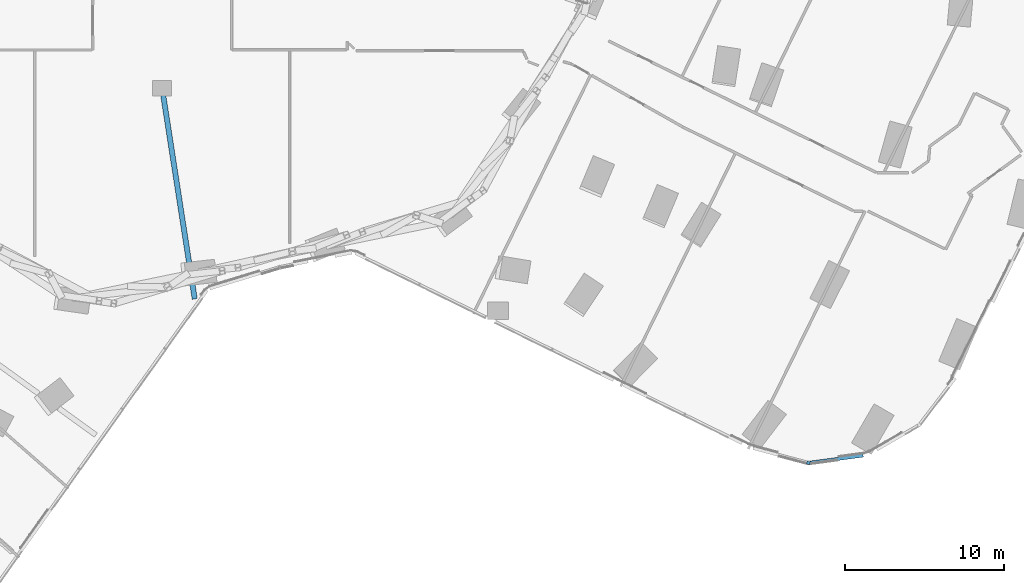
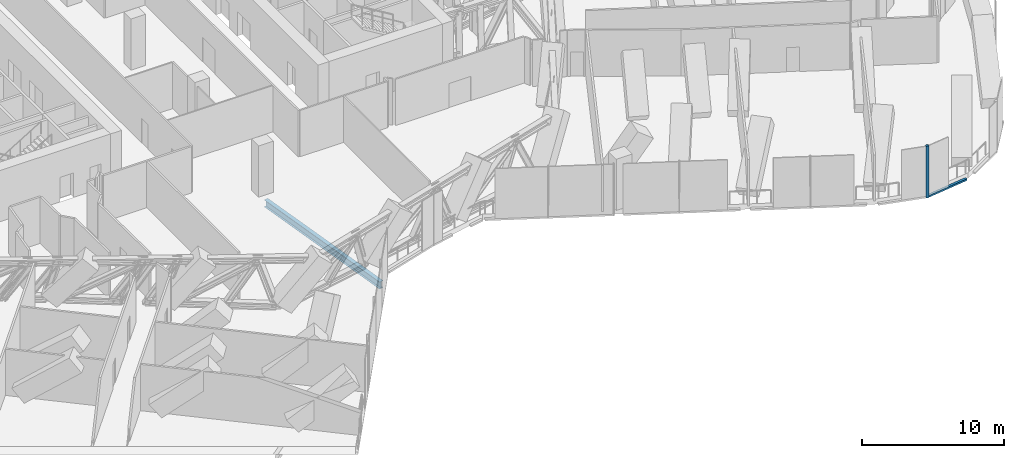
# One storey, part 8 of 34: 2 members, 1 beam, 2 elements without a shape of their own.
"""IFC4 building model written with IfcOpenShell, lengths in metres."""

import ifcopenshell
import ifcopenshell.guid

model = None  # the IFC model being written
_history = None  # IfcOwnerHistory: only IFC2X3 demands one
_inside = {}  # id of a spatial element -> (the spatial element, [elements in it])
_under = {}  # id of a project, library or spatial element -> (it, [spatial elements below it])
_declared = {}  # id of a project -> (the project, [libraries it declares])
_typed = {}  # id of a type object -> (the type object, [elements of that type])
_made_of = {}  # id of a material, layer set ... -> (it, [elements and type objects made of it])


def new_model(schema):
    """Start an empty IFC model of exactly this schema.

    Asked for "IFC4X3", IfcOpenShell would pick the latest addendum, in which some entities
    have other attributes; the version numbers below select the first issue.
    IFC2X3 requires an IfcOwnerHistory on every rooted entity: one is made here for all.
    """
    global model, _history
    if schema == "IFC4X3":
        model = ifcopenshell.file(schema_version=(4, 3, 0, 0))
    else:
        model = ifcopenshell.file(schema=schema)
    _inside.clear()
    _under.clear()
    _declared.clear()
    _typed.clear()
    _made_of.clear()
    _history = None
    if model.schema == "IFC2X3":
        org = make("IfcOrganization", Name="unknown")
        user = make(
            "IfcPersonAndOrganization",
            ThePerson=make("IfcPerson", FamilyName="unknown"),
            TheOrganization=org,
        )
        app = make(
            "IfcApplication",
            ApplicationDeveloper=org,
            Version="unknown",
            ApplicationFullName="unknown",
            ApplicationIdentifier="unknown",
        )
        _history = make(
            "IfcOwnerHistory",
            OwningUser=user,
            OwningApplication=app,
            ChangeAction="ADDED",
            CreationDate=0,
        )
    return model


def make(cls, **values):
    """One entity of the class cls with the attributes given. An attribute that is None is left unset."""
    return model.create_entity(
        cls, **{name: value for name, value in values.items() if value is not None}
    )


def rooted(cls, **values):
    """An entity with a GlobalId (a new one), such as an element, a storey or a relation."""
    return make(cls, GlobalId=ifcopenshell.guid.new(), OwnerHistory=_history, **values)


def si_unit(unit_type, name, prefix=None):
    """IfcSIUnit, for example si_unit("LENGTHUNIT", "METRE", prefix="MILLI")."""
    return make("IfcSIUnit", UnitType=unit_type, Prefix=prefix, Name=name)


def assignment(units):
    """IfcUnitAssignment: the units of a project."""
    return None if units is None else make("IfcUnitAssignment", Units=units)


def point(xyz):
    """IfcCartesianPoint."""
    return None if xyz is None else make("IfcCartesianPoint", Coordinates=xyz)


def direction(xyz):
    """IfcDirection."""
    return None if xyz is None else make("IfcDirection", DirectionRatios=xyz)


def frame(location, z_axis=None, x_axis=None):
    """IfcAxis2Placement3D, a coordinate frame: its origin and axes. An axis left out is left unset."""
    return make(
        "IfcAxis2Placement3D",
        Location=point(location),
        Axis=direction(z_axis),
        RefDirection=direction(x_axis),
    )


def frame_2d(location, x_axis=None):
    """IfcAxis2Placement2D, a coordinate frame in the plane: its origin and x axis."""
    return make(
        "IfcAxis2Placement2D", Location=point(location), RefDirection=direction(x_axis)
    )


def origin():
    """The frame at (0, 0, 0) with its axes left unset."""
    return frame((0.0, 0.0, 0.0))


def origin_2d():
    """The frame at (0, 0) in the plane with its x axis left unset."""
    return frame_2d((0.0, 0.0))


def place(relative_to, where):
    """IfcLocalPlacement: puts the frame where relative to a parent placement (None: the world)."""
    return make(
        "IfcLocalPlacement", PlacementRelTo=relative_to, RelativePlacement=where
    )


def context(
    kind, dimensions, precision=None, world=None, true_north=None, identifier=None
):
    """IfcGeometricRepresentationContext, for example the 3D "Model" context."""
    return make(
        "IfcGeometricRepresentationContext",
        ContextIdentifier=identifier,
        ContextType=kind,
        CoordinateSpaceDimension=dimensions,
        Precision=precision,
        WorldCoordinateSystem=world,
        TrueNorth=true_north,
    )


def subcontext(parent, identifier, kind, view, scale=None):
    """IfcGeometricRepresentationSubContext, for example "Body" below "Model"."""
    return make(
        "IfcGeometricRepresentationSubContext",
        ContextIdentifier=identifier,
        ContextType=kind,
        ParentContext=parent,
        TargetScale=scale,
        TargetView=view,
    )


def project(units=None, contexts=None):
    """IfcProject with its units and contexts."""
    return rooted(
        "IfcProject",
        Name="project",
        RepresentationContexts=contexts,
        UnitsInContext=assignment(units),
    )


def spatial(cls, under=None, at=None, **own):
    """A site, building, storey or space (cls), placed at a placement, below another one or the project."""
    s = rooted(cls, ObjectPlacement=at, **own)
    if under is not None:
        _under.setdefault(under.id(), (under, []))[1].append(s)
    return s


def profile(cls, at=None, kind="AREA", **sizes):
    """A parametric profile (cls). Its sizes go by their IFC names, for example OverallWidth=200.0."""
    return make(cls, ProfileType=kind, Position=at, **sizes)


def rectangle(**sizes):
    """IfcRectangleProfileDef."""
    return profile("IfcRectangleProfileDef", **sizes)


def i_section(**sizes):
    """IfcIShapeProfileDef."""
    return profile("IfcIShapeProfileDef", **sizes)


def extrude(swept, where, along, depth):
    """IfcExtrudedAreaSolid: the profile swept, set in the frame where, extruded along a direction by depth."""
    return make(
        "IfcExtrudedAreaSolid",
        SweptArea=swept,
        Position=where,
        ExtrudedDirection=direction(along),
        Depth=depth,
    )


def shape(context_of_items, identifier, shape_type, items):
    """IfcShapeRepresentation: the items that make up one representation, for example the "Body"."""
    return make(
        "IfcShapeRepresentation",
        ContextOfItems=context_of_items,
        RepresentationIdentifier=identifier,
        RepresentationType=shape_type,
        Items=items,
    )


def material(Name=None, Category=None):
    """IfcMaterial."""
    return make("IfcMaterial", Name=Name, Category=Category)


def material_profile(
    of_material, cross_section, Name=None, Category=None, Priority=None
):
    """IfcMaterialProfile: a cross section and its material."""
    return make(
        "IfcMaterialProfile",
        Name=Name,
        Material=of_material,
        Profile=cross_section,
        Priority=Priority,
        Category=Category,
    )


def profile_set(profiles, Name=None, composite=None):
    """IfcMaterialProfileSet."""
    return make(
        "IfcMaterialProfileSet",
        Name=Name,
        MaterialProfiles=profiles,
        CompositeProfile=composite,
    )


def made_of(thing, what):
    """Note that an element or type object is made of a material, layer set ...; save() writes the relation."""
    if what is not None:
        _made_of.setdefault(what.id(), (what, []))[1].append(thing)
    return thing


def type_object(cls, material=None, **own):
    """A type object (cls), such as IfcWallType, which elements share."""
    return made_of(rooted(cls, **own), material)


def element(
    cls,
    number,
    at=None,
    inside=None,
    cuts=None,
    type_object=None,
    material=None,
    context=None,
    identifier="Body",
    shape_type=None,
    held_by="IfcProductDefinitionShape",
    body=None,
    shapes=None,
    **own,
):
    """One element of the class cls, such as IfcWall. Its Tag is "e" and its number.

    at: its placement. inside: the storey or other place that contains it. cuts: it is an
    opening in that element (IfcRelVoidsElement). A single representation is given by context,
    identifier, shape_type and body (its items); several are given by shapes. held_by: the class
    of the entity that holds the representations. save() writes the other relations.
    """
    e = rooted(cls, Tag="e%d" % number, ObjectPlacement=at, **own)
    if body is not None:
        shapes = [shape(context, identifier, shape_type, body)]
    if shapes is not None:
        e.Representation = make(held_by, Representations=shapes)
    if inside is not None:
        _inside.setdefault(inside.id(), (inside, []))[1].append(e)
    if cuts is not None:
        rooted(
            "IfcRelVoidsElement", RelatingBuildingElement=cuts, RelatedOpeningElement=e
        )
    if type_object is not None:
        _typed.setdefault(type_object.id(), (type_object, []))[1].append(e)
    return made_of(e, material)


def aggregate(whole, parts):
    """IfcRelAggregates: a whole, such as a stair, and the parts it consists of."""
    return rooted("IfcRelAggregates", RelatingObject=whole, RelatedObjects=parts)


def save(model, path):
    """Write the relations noted so far, then the file.

    IfcRelAggregates (storeys below a building ...), IfcRelContainedInSpatialStructure (elements
    in a storey), IfcRelDefinesByType, IfcRelAssociatesMaterial and IfcRelDeclares: one each for
    every whole, place, type object, material and project.
    """
    for whole, parts in _under.values():
        aggregate(whole, parts)
    for where, things in _inside.values():
        rooted(
            "IfcRelContainedInSpatialStructure",
            RelatedElements=things,
            RelatingStructure=where,
        )
    for kind, things in _typed.values():
        rooted("IfcRelDefinesByType", RelatedObjects=things, RelatingType=kind)
    for what, things in _made_of.values():
        rooted("IfcRelAssociatesMaterial", RelatedObjects=things, RelatingMaterial=what)
    for by, libraries in _declared.values():
        rooted("IfcRelDeclares", RelatingContext=by, RelatedDefinitions=libraries)
    model.write(path)


model = new_model("IFC4")

# Units and contexts
model_context = context("Model", 3, precision=1e-05, world=origin(), true_north=direction((0.0, 1.0)))
body_context = subcontext(model_context, "Body", "Model", "MODEL_VIEW")
ifc_project = project(units=[si_unit("LENGTHUNIT", "METRE"), si_unit("AREAUNIT", "SQUARE_METRE"), si_unit("VOLUMEUNIT", "CUBIC_METRE"), si_unit("PLANEANGLEUNIT", "RADIAN"), si_unit("MASSUNIT", "GRAM", prefix="KILO")], contexts=[model_context])

# Site, building, storey
site_placement = place(None, origin())
site = spatial("IfcSite", under=ifc_project, at=site_placement, CompositionType="ELEMENT")
building_placement = place(site_placement, origin())
building = spatial("IfcBuilding", under=site, at=building_placement, Name="Orlundy Tower", CompositionType="ELEMENT")
storey_placement = place(building_placement, frame((0.0, 0.0, 76.300048828125)))
storey = spatial("IfcBuildingStorey", under=building, at=storey_placement, Name="L18", CompositionType="ELEMENT", Elevation=76.300048828125)

# Beam
ifc_material_1 = material(Name="Steel ASTM A992 Gr 50", Category="steel")
ifc_material_profile_1 = material_profile(ifc_material_1, i_section(OverallWidth=0.32373046875, OverallDepth=0.611083984375, WebThickness=0.0126953125, FlangeThickness=0.01904296875, at=origin_2d()), Name="W24X104")
ifc_profile_set_1 = profile_set([ifc_material_profile_1], Name="Steel ASTM A992 Gr 50")
beam_type = type_object("IfcBeamType", Name="CANTILEVER GIRDER beam W24X104", PredefinedType="BEAM", material=ifc_profile_set_1)
beam_placement = place(storey_placement, frame((2.043212890625, -31.2158203125, -0.755615234375), z_axis=(-0.152793923167, 0.988258072086, 0.0), x_axis=(-0.988258072086, -0.152793923167, 0.0)))
element("IfcBeam", 1, at=beam_placement, inside=storey, type_object=beam_type, Name="Cantilever girder C-H09 L18", PredefinedType="BEAM", context=body_context, shape_type="SweptSolid", body=[
    extrude(i_section(OverallWidth=0.32373046875, OverallDepth=0.611083984375, WebThickness=0.0126953125, FlangeThickness=0.01904296875, at=origin_2d()), origin(), (0.0, 0.0, 1.0), 12.972900390625),
])

# Curtain wall, member
ifc_material_2 = material(Name="Aluminium bronze anodised", Category="aluminium")
curtain_wall_type = type_object("IfcCurtainWallType", Name="CW4 wall", PredefinedType="NOTDEFINED", material=ifc_material_2)
curtain_wall_1_placement = place(storey_placement, origin())
curtain_wall_1 = element("IfcCurtainWall", 2, at=curtain_wall_1_placement, inside=storey, type_object=curtain_wall_type, Name="CW4 run 026", PredefinedType="NOTDEFINED")
ifc_material_3 = material(Name="Aluminium bronze anodised", Category="aluminium")
ifc_material_profile_2 = material_profile(ifc_material_3, rectangle(XDim=0.199951171875, YDim=0.199951171875, at=origin_2d()), Name="CW4 corner post 200x200")
ifc_profile_set_2 = profile_set([ifc_material_profile_2], Name="Aluminium bronze anodised")
member_type_1 = type_object("IfcMemberType", Name="CW4 corner post 200x200", PredefinedType="MULLION", material=ifc_profile_set_2)
member_1_placement = place(storey_placement, frame((40.528564453125, -41.496826171875, -0.449951171875), z_axis=(0.0, 0.0, 1.0), x_axis=(-0.25767944438, -0.966230461093, 0.0)))
member_1 = element("IfcMember", 3, at=member_1_placement, type_object=member_type_1, Name="CW4 mullion 41", PredefinedType="MULLION", context=body_context, shape_type="SweptSolid", body=[
    extrude(rectangle(XDim=0.199951171875, YDim=0.199951171875, at=origin_2d()), origin(), (0.0, 0.0, 1.0), 4.449951171875),
])
aggregate(curtain_wall_1, [member_1])

curtain_wall_2_placement = place(storey_placement, origin())
curtain_wall_2 = element("IfcCurtainWall", 4, at=curtain_wall_2_placement, inside=storey, type_object=curtain_wall_type, Name="CW4 run 025", PredefinedType="NOTDEFINED")
ifc_material_4 = material(Name="Aluminium bronze anodised", Category="aluminium")
ifc_material_profile_3 = material_profile(ifc_material_4, rectangle(XDim=0.199951171875, YDim=0.14990234375, at=origin_2d()), Name="CW4 transom 200x150")
ifc_profile_set_3 = profile_set([ifc_material_profile_3], Name="Aluminium bronze anodised")
member_type_2 = type_object("IfcMemberType", Name="CW4 transom 200x150", PredefinedType="USERDEFINED", material=ifc_profile_set_3)
member_2_placement = place(storey_placement, frame((43.96923828125, -41.0380859375, -0.375), z_axis=(-0.991232972199, -0.132125678146, 0.0), x_axis=(0.132125678146, -0.991232972199, 0.0)))
member_2 = element("IfcMember", 5, at=member_2_placement, type_object=member_type_2, Name="CW4 transom", ObjectType="TRANSOM", PredefinedType="USERDEFINED", context=body_context, shape_type="SweptSolid", body=[
    extrude(rectangle(XDim=0.199951171875, YDim=0.14990234375, at=origin_2d()), origin(), (0.0, 0.0, 1.0), 3.363037109375),
])
aggregate(curtain_wall_2, [member_2])

save(model, "model.ifc")
